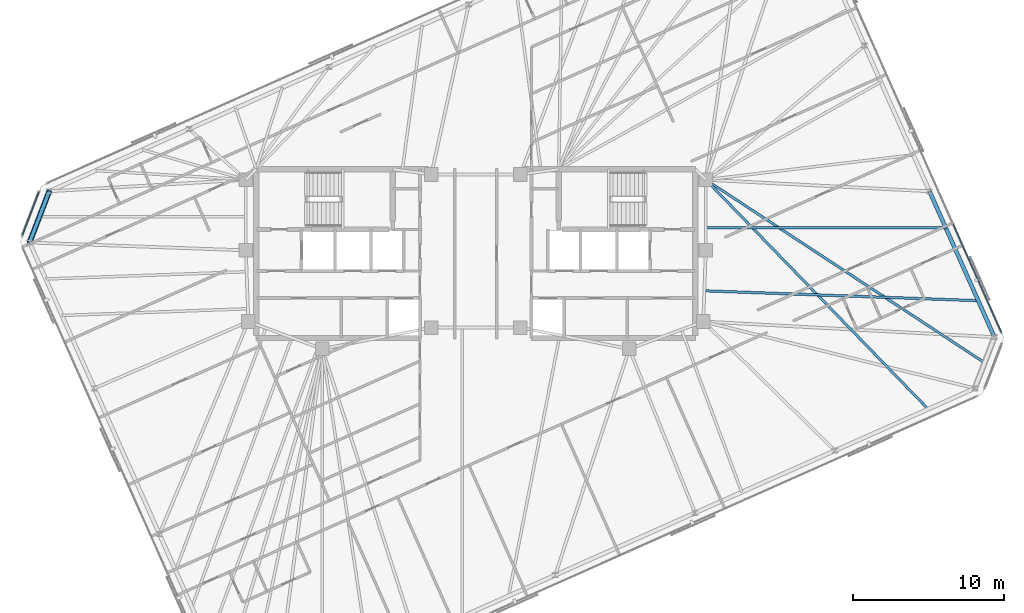
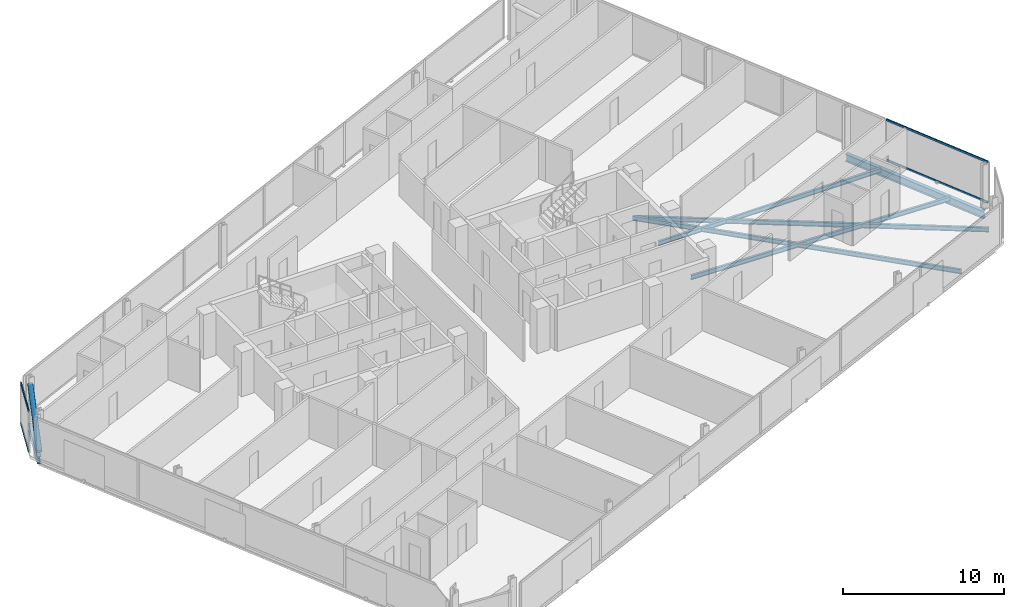
# One storey, part 8 of 19: 6 beams, 5 members, 2 elements without a shape of their own.
"""IFC4 building model written with IfcOpenShell, lengths in metres."""

from ifc_helpers import new_model, si_unit, direction, frame, origin, origin_2d, place, context, subcontext, project, spatial, rectangle, hollow_circle, i_section, extrude, material, material_profile, profile_set, type_object, element, aggregate, save


model = new_model("IFC4")

# Units and contexts
model_context = context("Model", 3, precision=1e-05, world=origin(), true_north=direction((0.0, 1.0)))
body_context = subcontext(model_context, "Body", "Model", "MODEL_VIEW")
ifc_project = project(units=[si_unit("LENGTHUNIT", "METRE"), si_unit("AREAUNIT", "SQUARE_METRE"), si_unit("VOLUMEUNIT", "CUBIC_METRE"), si_unit("PLANEANGLEUNIT", "RADIAN"), si_unit("MASSUNIT", "GRAM", prefix="KILO")], contexts=[model_context])

# Site, building, storey
site_placement = place(None, origin())
site = spatial("IfcSite", under=ifc_project, at=site_placement, CompositionType="ELEMENT")
building_placement = place(site_placement, origin())
building = spatial("IfcBuilding", under=site, at=building_placement, Name="Menara Jurai Vektor", CompositionType="ELEMENT")
storey_placement = place(building_placement, frame((0.0, 0.0, 262.199951171875)))
storey = spatial("IfcBuildingStorey", under=building, at=storey_placement, Name="L70", CompositionType="ELEMENT", Elevation=262.199951171875)

# Curtain wall, members
ifc_material_1 = material(Name="Anodised Pale Aluminium & Low-E Double Glazing", Category="aluminium")
curtain_wall_type = type_object("IfcCurtainWallType", Name="CW-BLK5", PredefinedType="NOTDEFINED", material=ifc_material_1)
curtain_wall_1_placement = place(storey_placement, origin())
curtain_wall_1 = element("IfcCurtainWall", 1, at=curtain_wall_1_placement, inside=storey, type_object=curtain_wall_type, Name="Unitised Curtain Wall L70 F03", PredefinedType="NOTDEFINED")
ifc_material_2 = material(Name="Anodised Pale Aluminium Transom", Category="aluminium")
ifc_material_profile_1 = material_profile(ifc_material_2, rectangle(XDim=0.074951171875, YDim=0.155029296875, at=origin_2d()), Name="ALU TRN 75x155")
ifc_profile_set_1 = profile_set([ifc_material_profile_1], Name="Anodised Pale Aluminium Transom")
member_type_1 = type_object("IfcMemberType", Name="CW-BLK5-TRN", PredefinedType="USERDEFINED", material=ifc_profile_set_1)
member_1_placement = place(storey_placement, frame((34.840087890625, -5.19189453125, 0.03759765625), z_axis=(-0.406739711224, 0.913544091609, 0.0), x_axis=(-0.913544091609, -0.406739711224, 0.0)))
member_1 = element("IfcMember", 2, at=member_1_placement, type_object=member_type_1, Name="CW-05 transom 1.1", ObjectType="TRANSOM", PredefinedType="USERDEFINED", context=body_context, shape_type="SweptSolid", body=[
    extrude(rectangle(XDim=0.074951171875, YDim=0.155029296875, at=origin_2d()), origin(), (0.0, 0.0, 1.0), 7.797607421875),
])
member_2_placement = place(storey_placement, frame((34.840087890625, -5.19189453125, 3.087646484375), z_axis=(-0.406739711224, 0.913544091609, 0.0), x_axis=(-0.913544091609, -0.406739711224, 0.0)))
member_2 = element("IfcMember", 3, at=member_2_placement, type_object=member_type_1, Name="CW-05 transom 1.2", ObjectType="TRANSOM", PredefinedType="USERDEFINED", context=body_context, shape_type="SweptSolid", body=[
    extrude(rectangle(XDim=0.074951171875, YDim=0.155029296875, at=origin_2d()), origin(), (0.0, 0.0, 1.0), 7.797607421875),
])
aggregate(curtain_wall_1, [member_1, member_2])

curtain_wall_2_placement = place(storey_placement, origin())
curtain_wall_2 = element("IfcCurtainWall", 4, at=curtain_wall_2_placement, inside=storey, type_object=curtain_wall_type, Name="Unitised Curtain Wall L70 F06", PredefinedType="NOTDEFINED")
member_3_placement = place(storey_placement, frame((-28.96923828125, 4.079345703125, 0.03759765625), z_axis=(-0.358324523823, -0.933597094911, 0.0), x_axis=(0.933597094911, -0.358324523823, 0.0)))
member_3 = element("IfcMember", 5, at=member_3_placement, type_object=member_type_1, Name="CW-05 transom 1.1", ObjectType="TRANSOM", PredefinedType="USERDEFINED", context=body_context, shape_type="SweptSolid", body=[
    extrude(rectangle(XDim=0.074951171875, YDim=0.155029296875, at=origin_2d()), origin(), (0.0, 0.0, 1.0), 3.049560546875),
])
member_4_placement = place(storey_placement, frame((-28.96923828125, 4.079345703125, 3.087646484375), z_axis=(-0.358324523823, -0.933597094911, 0.0), x_axis=(0.933597094911, -0.358324523823, 0.0)))
member_4 = element("IfcMember", 6, at=member_4_placement, type_object=member_type_1, Name="CW-05 transom 1.2", ObjectType="TRANSOM", PredefinedType="USERDEFINED", context=body_context, shape_type="SweptSolid", body=[
    extrude(rectangle(XDim=0.074951171875, YDim=0.155029296875, at=origin_2d()), origin(), (0.0, 0.0, 1.0), 3.049560546875),
])
aggregate(curtain_wall_2, [member_3, member_4])

# Member
ifc_material_3 = material(Name="Steel S460", Category="steel")
ifc_material_profile_2 = material_profile(ifc_material_3, hollow_circle(Radius=0.177734375, WallThickness=0.01611328125, at=origin_2d()), Name="CHS 355.6x16")
ifc_profile_set_2 = profile_set([ifc_material_profile_2], Name="Steel S460")
member_type_2 = type_object("IfcMemberType", Name="STR-BR-356", PredefinedType="BRACE", material=ifc_profile_set_2)
member_5_placement = place(storey_placement, frame((-29.591796875, 0.73681640625, 0.150146484375), z_axis=(0.2906257681, 0.757042028889, 0.585170085882), x_axis=(-0.933570293083, 0.358394346877, 0.0)))
element("IfcMember", 7, at=member_5_placement, inside=storey, type_object=member_type_2, Name="Exoskeleton Corner Brace L70-3", PredefinedType="BRACE", context=body_context, shape_type="SweptSolid", body=[
    extrude(hollow_circle(Radius=0.177734375, WallThickness=0.01611328125, at=origin_2d()), origin(), (0.0, 0.0, 1.0), 4.48583984375),
])

# Beams
ifc_material_4 = material(Name="Steel S355", Category="steel")
ifc_material_profile_3 = material_profile(ifc_material_4, i_section(OverallWidth=0.1650390625, OverallDepth=0.330078125, WebThickness=0.009033203125, FlangeThickness=0.013916015625, at=origin_2d()), Name="PG 330x165x46")
ifc_profile_set_3 = profile_set([ifc_material_profile_3], Name="Steel S355")
beam_type_1 = type_object("IfcBeamType", Name="STR-JS-330", PredefinedType="JOIST", material=ifc_profile_set_3)
beam_1_placement = place(storey_placement, frame((29.996826171875, -10.30908203125, -0.389892578125), z_axis=(-0.696114697983, 0.717930586653, 0.0), x_axis=(-0.717930586653, -0.696114697983, 0.0)))
element("IfcBeam", 8, at=beam_1_placement, inside=storey, type_object=beam_type_1, Name="Radial Secondary Floor Joist L70-JS06", PredefinedType="JOIST", context=body_context, shape_type="SweptSolid", body=[
    extrude(i_section(OverallWidth=0.1650390625, OverallDepth=0.330078125, WebThickness=0.009033203125, FlangeThickness=0.013916015625, at=origin_2d()), origin(), (0.0, 0.0, 1.0), 21.1845703125),
])
beam_2_placement = place(storey_placement, frame((33.739990234375, -7.23486328125, -0.389892578125), z_axis=(-0.836033194478, 0.54867886576, 0.0), x_axis=(-0.54867886576, -0.836033194478, 0.0)))
element("IfcBeam", 9, at=beam_2_placement, inside=storey, type_object=beam_type_1, Name="Radial Secondary Floor Joist L70-JS07", PredefinedType="JOIST", context=body_context, shape_type="SweptSolid", body=[
    extrude(i_section(OverallWidth=0.1650390625, OverallDepth=0.330078125, WebThickness=0.009033203125, FlangeThickness=0.013916015625, at=origin_2d()), origin(), (0.0, 0.0, 1.0), 22.116455078125),
])
beam_3_placement = place(storey_placement, frame((33.315185546875, -3.119384765625, -0.389892578125), z_axis=(-0.999351699571, 0.036002507761, 0.0), x_axis=(-0.036002507761, -0.999351699571, 0.0)))
element("IfcBeam", 10, at=beam_3_placement, inside=storey, type_object=beam_type_1, Name="Radial Secondary Floor Joist L70-JS08", PredefinedType="JOIST", context=body_context, shape_type="SweptSolid", body=[
    extrude(i_section(OverallWidth=0.1650390625, OverallDepth=0.330078125, WebThickness=0.009033203125, FlangeThickness=0.013916015625, at=origin_2d()), origin(), (0.0, 0.0, 1.0), 18.173583984375),
])
beam_4_placement = place(storey_placement, frame((31.16259765625, 1.7158203125, -0.389892578125), z_axis=(-1.0, 0.0, 0.0), x_axis=(0.0, -1.0, 0.0)))
element("IfcBeam", 11, at=beam_4_placement, inside=storey, type_object=beam_type_1, Name="Radial Secondary Floor Joist L70-JS09", PredefinedType="JOIST", context=body_context, shape_type="SweptSolid", body=[
    extrude(i_section(OverallWidth=0.1650390625, OverallDepth=0.330078125, WebThickness=0.009033203125, FlangeThickness=0.013916015625, at=origin_2d()), origin(), (0.0, 0.0, 1.0), 15.91259765625),
])
ifc_material_profile_4 = material_profile(ifc_material_4, i_section(OverallWidth=0.260009765625, OverallDepth=0.570068359375, WebThickness=0.013916015625, FlangeThickness=0.02392578125, at=origin_2d()), Name="PG 570x260x145")
ifc_profile_set_4 = profile_set([ifc_material_profile_4], Name="Steel S355")
beam_type_2 = type_object("IfcBeamType", Name="STR-SP-570", PredefinedType="SPANDREL", material=ifc_profile_set_4)
beam_5_placement = place(storey_placement, frame((34.3916015625, -5.536865234375, -0.510009765625), z_axis=(-0.40673543049, 0.91354599752, 0.0), x_axis=(-0.91354599752, -0.40673543049, 0.0)))
element("IfcBeam", 12, at=beam_5_placement, inside=storey, type_object=beam_type_2, Name="Exoskeleton Spandrel Beam L70-07", PredefinedType="SPANDREL", context=body_context, shape_type="SweptSolid", body=[
    extrude(i_section(OverallWidth=0.260009765625, OverallDepth=0.570068359375, WebThickness=0.013916015625, FlangeThickness=0.02392578125, at=origin_2d()), origin(), (0.0, 0.0, 1.0), 10.585205078125),
])
beam_6_placement = place(storey_placement, frame((-28.2880859375, 4.1328125, -0.510009765625), z_axis=(-0.358394346877, -0.933570293083, 0.0), x_axis=(0.933570293083, -0.358394346877, 0.0)))
element("IfcBeam", 13, at=beam_6_placement, inside=storey, type_object=beam_type_2, Name="Exoskeleton Spandrel Beam L70-16", PredefinedType="SPANDREL", context=body_context, shape_type="SweptSolid", body=[
    extrude(i_section(OverallWidth=0.260009765625, OverallDepth=0.570068359375, WebThickness=0.013916015625, FlangeThickness=0.02392578125, at=origin_2d()), origin(), (0.0, 0.0, 1.0), 3.6376953125),
])

save(model, "model.ifc")
